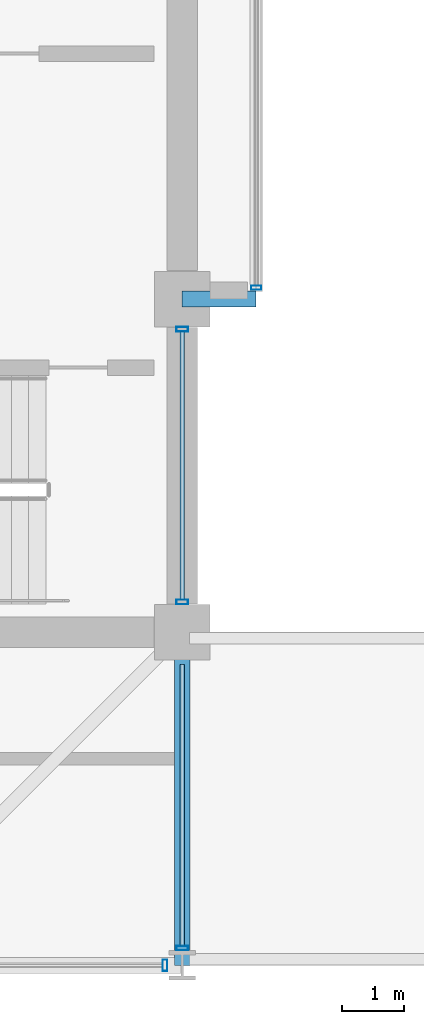
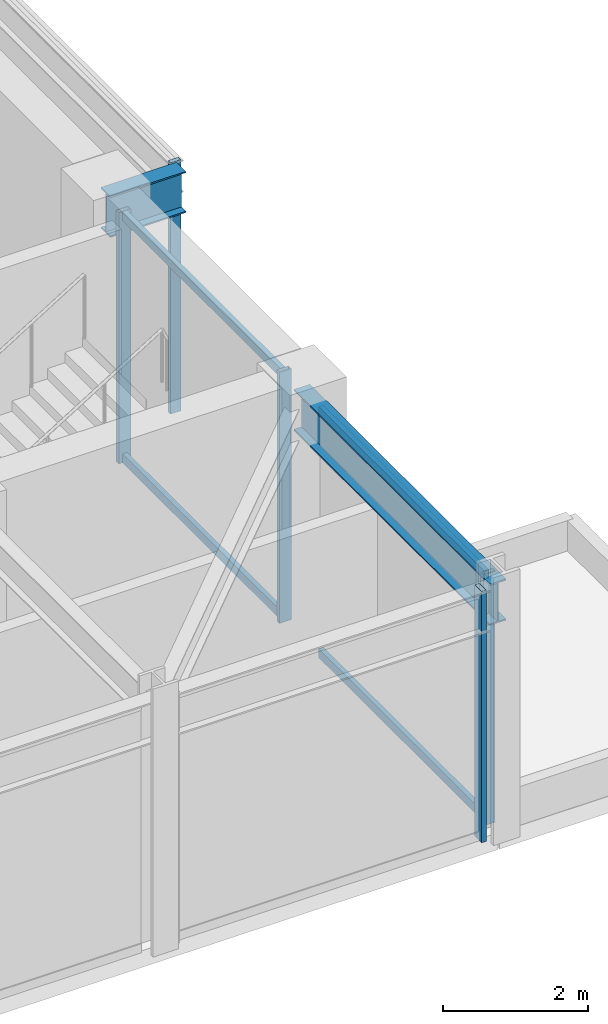
# One storey, part 8 of 21: 9 members, 2 beams, 3 elements without a shape of their own.
"""IFC4 building model written with IfcOpenShell, lengths in metres."""

import ifcopenshell
import ifcopenshell.guid

model = None  # the IFC model being written
_history = None  # IfcOwnerHistory: only IFC2X3 demands one
_inside = {}  # id of a spatial element -> (the spatial element, [elements in it])
_under = {}  # id of a project, library or spatial element -> (it, [spatial elements below it])
_declared = {}  # id of a project -> (the project, [libraries it declares])
_typed = {}  # id of a type object -> (the type object, [elements of that type])
_made_of = {}  # id of a material, layer set ... -> (it, [elements and type objects made of it])


def new_model(schema):
    """Start an empty IFC model of exactly this schema.

    Asked for "IFC4X3", IfcOpenShell would pick the latest addendum, in which some entities
    have other attributes; the version numbers below select the first issue.
    IFC2X3 requires an IfcOwnerHistory on every rooted entity: one is made here for all.
    """
    global model, _history
    if schema == "IFC4X3":
        model = ifcopenshell.file(schema_version=(4, 3, 0, 0))
    else:
        model = ifcopenshell.file(schema=schema)
    _inside.clear()
    _under.clear()
    _declared.clear()
    _typed.clear()
    _made_of.clear()
    _history = None
    if model.schema == "IFC2X3":
        org = make("IfcOrganization", Name="unknown")
        user = make(
            "IfcPersonAndOrganization",
            ThePerson=make("IfcPerson", FamilyName="unknown"),
            TheOrganization=org,
        )
        app = make(
            "IfcApplication",
            ApplicationDeveloper=org,
            Version="unknown",
            ApplicationFullName="unknown",
            ApplicationIdentifier="unknown",
        )
        _history = make(
            "IfcOwnerHistory",
            OwningUser=user,
            OwningApplication=app,
            ChangeAction="ADDED",
            CreationDate=0,
        )
    return model


def make(cls, **values):
    """One entity of the class cls with the attributes given. An attribute that is None is left unset."""
    return model.create_entity(
        cls, **{name: value for name, value in values.items() if value is not None}
    )


def rooted(cls, **values):
    """An entity with a GlobalId (a new one), such as an element, a storey or a relation."""
    return make(cls, GlobalId=ifcopenshell.guid.new(), OwnerHistory=_history, **values)


def si_unit(unit_type, name, prefix=None):
    """IfcSIUnit, for example si_unit("LENGTHUNIT", "METRE", prefix="MILLI")."""
    return make("IfcSIUnit", UnitType=unit_type, Prefix=prefix, Name=name)


def assignment(units):
    """IfcUnitAssignment: the units of a project."""
    return None if units is None else make("IfcUnitAssignment", Units=units)


def point(xyz):
    """IfcCartesianPoint."""
    return None if xyz is None else make("IfcCartesianPoint", Coordinates=xyz)


def direction(xyz):
    """IfcDirection."""
    return None if xyz is None else make("IfcDirection", DirectionRatios=xyz)


def frame(location, z_axis=None, x_axis=None):
    """IfcAxis2Placement3D, a coordinate frame: its origin and axes. An axis left out is left unset."""
    return make(
        "IfcAxis2Placement3D",
        Location=point(location),
        Axis=direction(z_axis),
        RefDirection=direction(x_axis),
    )


def frame_2d(location, x_axis=None):
    """IfcAxis2Placement2D, a coordinate frame in the plane: its origin and x axis."""
    return make(
        "IfcAxis2Placement2D", Location=point(location), RefDirection=direction(x_axis)
    )


def origin():
    """The frame at (0, 0, 0) with its axes left unset."""
    return frame((0.0, 0.0, 0.0))


def origin_2d():
    """The frame at (0, 0) in the plane with its x axis left unset."""
    return frame_2d((0.0, 0.0))


def place(relative_to, where):
    """IfcLocalPlacement: puts the frame where relative to a parent placement (None: the world)."""
    return make(
        "IfcLocalPlacement", PlacementRelTo=relative_to, RelativePlacement=where
    )


def context(
    kind, dimensions, precision=None, world=None, true_north=None, identifier=None
):
    """IfcGeometricRepresentationContext, for example the 3D "Model" context."""
    return make(
        "IfcGeometricRepresentationContext",
        ContextIdentifier=identifier,
        ContextType=kind,
        CoordinateSpaceDimension=dimensions,
        Precision=precision,
        WorldCoordinateSystem=world,
        TrueNorth=true_north,
    )


def subcontext(parent, identifier, kind, view, scale=None):
    """IfcGeometricRepresentationSubContext, for example "Body" below "Model"."""
    return make(
        "IfcGeometricRepresentationSubContext",
        ContextIdentifier=identifier,
        ContextType=kind,
        ParentContext=parent,
        TargetScale=scale,
        TargetView=view,
    )


def project(units=None, contexts=None):
    """IfcProject with its units and contexts."""
    return rooted(
        "IfcProject",
        Name="project",
        RepresentationContexts=contexts,
        UnitsInContext=assignment(units),
    )


def spatial(cls, under=None, at=None, **own):
    """A site, building, storey or space (cls), placed at a placement, below another one or the project."""
    s = rooted(cls, ObjectPlacement=at, **own)
    if under is not None:
        _under.setdefault(under.id(), (under, []))[1].append(s)
    return s


def profile(cls, at=None, kind="AREA", **sizes):
    """A parametric profile (cls). Its sizes go by their IFC names, for example OverallWidth=200.0."""
    return make(cls, ProfileType=kind, Position=at, **sizes)


def hollow_rectangle(**sizes):
    """IfcRectangleHollowProfileDef."""
    return profile("IfcRectangleHollowProfileDef", **sizes)


def i_section(**sizes):
    """IfcIShapeProfileDef."""
    return profile("IfcIShapeProfileDef", **sizes)


def extrude(swept, where, along, depth):
    """IfcExtrudedAreaSolid: the profile swept, set in the frame where, extruded along a direction by depth."""
    return make(
        "IfcExtrudedAreaSolid",
        SweptArea=swept,
        Position=where,
        ExtrudedDirection=direction(along),
        Depth=depth,
    )


def shape(context_of_items, identifier, shape_type, items):
    """IfcShapeRepresentation: the items that make up one representation, for example the "Body"."""
    return make(
        "IfcShapeRepresentation",
        ContextOfItems=context_of_items,
        RepresentationIdentifier=identifier,
        RepresentationType=shape_type,
        Items=items,
    )


def material(Name=None, Category=None):
    """IfcMaterial."""
    return make("IfcMaterial", Name=Name, Category=Category)


def layer(
    of_material, thickness, ventilated=None, Name=None, Category=None, Priority=None
):
    """IfcMaterialLayer: one layer of a wall or slab, of a material (None: an air gap)."""
    return make(
        "IfcMaterialLayer",
        Material=of_material,
        LayerThickness=thickness,
        IsVentilated=ventilated,
        Name=Name,
        Category=Category,
        Priority=Priority,
    )


def layer_set(layers, Name=None):
    """IfcMaterialLayerSet."""
    return make("IfcMaterialLayerSet", MaterialLayers=layers, LayerSetName=Name)


def material_profile(
    of_material, cross_section, Name=None, Category=None, Priority=None
):
    """IfcMaterialProfile: a cross section and its material."""
    return make(
        "IfcMaterialProfile",
        Name=Name,
        Material=of_material,
        Profile=cross_section,
        Priority=Priority,
        Category=Category,
    )


def profile_set(profiles, Name=None, composite=None):
    """IfcMaterialProfileSet."""
    return make(
        "IfcMaterialProfileSet",
        Name=Name,
        MaterialProfiles=profiles,
        CompositeProfile=composite,
    )


def made_of(thing, what):
    """Note that an element or type object is made of a material, layer set ...; save() writes the relation."""
    if what is not None:
        _made_of.setdefault(what.id(), (what, []))[1].append(thing)
    return thing


def type_object(cls, material=None, **own):
    """A type object (cls), such as IfcWallType, which elements share."""
    return made_of(rooted(cls, **own), material)


def element(
    cls,
    number,
    at=None,
    inside=None,
    cuts=None,
    type_object=None,
    material=None,
    context=None,
    identifier="Body",
    shape_type=None,
    held_by="IfcProductDefinitionShape",
    body=None,
    shapes=None,
    **own,
):
    """One element of the class cls, such as IfcWall. Its Tag is "e" and its number.

    at: its placement. inside: the storey or other place that contains it. cuts: it is an
    opening in that element (IfcRelVoidsElement). A single representation is given by context,
    identifier, shape_type and body (its items); several are given by shapes. held_by: the class
    of the entity that holds the representations. save() writes the other relations.
    """
    e = rooted(cls, Tag="e%d" % number, ObjectPlacement=at, **own)
    if body is not None:
        shapes = [shape(context, identifier, shape_type, body)]
    if shapes is not None:
        e.Representation = make(held_by, Representations=shapes)
    if inside is not None:
        _inside.setdefault(inside.id(), (inside, []))[1].append(e)
    if cuts is not None:
        rooted(
            "IfcRelVoidsElement", RelatingBuildingElement=cuts, RelatedOpeningElement=e
        )
    if type_object is not None:
        _typed.setdefault(type_object.id(), (type_object, []))[1].append(e)
    return made_of(e, material)


def aggregate(whole, parts):
    """IfcRelAggregates: a whole, such as a stair, and the parts it consists of."""
    return rooted("IfcRelAggregates", RelatingObject=whole, RelatedObjects=parts)


def save(model, path):
    """Write the relations noted so far, then the file.

    IfcRelAggregates (storeys below a building ...), IfcRelContainedInSpatialStructure (elements
    in a storey), IfcRelDefinesByType, IfcRelAssociatesMaterial and IfcRelDeclares: one each for
    every whole, place, type object, material and project.
    """
    for whole, parts in _under.values():
        aggregate(whole, parts)
    for where, things in _inside.values():
        rooted(
            "IfcRelContainedInSpatialStructure",
            RelatedElements=things,
            RelatingStructure=where,
        )
    for kind, things in _typed.values():
        rooted("IfcRelDefinesByType", RelatedObjects=things, RelatingType=kind)
    for what, things in _made_of.values():
        rooted("IfcRelAssociatesMaterial", RelatedObjects=things, RelatingMaterial=what)
    for by, libraries in _declared.values():
        rooted("IfcRelDeclares", RelatingContext=by, RelatedDefinitions=libraries)
    model.write(path)


model = new_model("IFC4")

# Units and contexts
model_context = context("Model", 3, precision=1e-05, world=origin(), true_north=direction((0.0, 1.0)))
body_context = subcontext(model_context, "Body", "Model", "MODEL_VIEW")
ifc_project = project(units=[si_unit("LENGTHUNIT", "METRE"), si_unit("AREAUNIT", "SQUARE_METRE"), si_unit("VOLUMEUNIT", "CUBIC_METRE"), si_unit("PLANEANGLEUNIT", "RADIAN"), si_unit("MASSUNIT", "GRAM", prefix="KILO")], contexts=[model_context])

# Site, building, storey
site_placement = place(None, origin())
site = spatial("IfcSite", under=ifc_project, at=site_placement, CompositionType="ELEMENT")
building_placement = place(site_placement, origin())
building = spatial("IfcBuilding", under=site, at=building_placement, Name="Surkhivell Harbour Commons", CompositionType="ELEMENT")
storey_placement = place(building_placement, frame((0.0, 0.0, 346.5)))
storey = spatial("IfcBuildingStorey", under=building, at=storey_placement, Name="L90", CompositionType="ELEMENT", Elevation=346.5)

# Beams
ifc_material_1 = material(Name="Steel S460", Category="steel")
ifc_material_profile_1 = material_profile(ifc_material_1, i_section(OverallWidth=0.256103515625, OverallDepth=0.693115234375, WebThickness=0.014404296875, FlangeThickness=0.023681640625, at=origin_2d()), Name="UB686x254x170")
ifc_profile_set_1 = profile_set([ifc_material_profile_1], Name="Steel S460")
beam_type_1 = type_object("IfcBeamType", Name="BM-CNT-686", PredefinedType="BEAM", material=ifc_profile_set_1)
beam_1_placement = place(storey_placement, frame((10.800048828125, -5.39990234375, 3.87353515625), z_axis=(1.0, 0.0, 0.0), x_axis=(0.0, 1.0, 0.0)))
element("IfcBeam", 1, at=beam_1_placement, inside=storey, type_object=beam_type_1, Name="L90 Box Cantilever Outrigger (10.8,-5.4)", PredefinedType="BEAM", context=body_context, shape_type="SweptSolid", body=[
    extrude(i_section(OverallWidth=0.256103515625, OverallDepth=0.693115234375, WebThickness=0.014404296875, FlangeThickness=0.023681640625, at=origin_2d()), origin(), (0.0, 0.0, 1.0), 1.199951171875),
])
ifc_material_2 = material(Name="Steel S355", Category="steel")
ifc_material_profile_2 = material_profile(ifc_material_2, i_section(OverallWidth=0.256103515625, OverallDepth=0.693115234375, WebThickness=0.014404296875, FlangeThickness=0.023681640625, at=origin_2d()), Name="UB686x254x170")
ifc_profile_set_2 = profile_set([ifc_material_profile_2], Name="Steel S355")
beam_type_2 = type_object("IfcBeamType", Name="BM-SPN-686", PredefinedType="SPANDREL", material=ifc_profile_set_2)
beam_2_placement = place(storey_placement, frame((10.800048828125, -16.199951171875, 3.87353515625), z_axis=(0.0, 1.0, 0.0), x_axis=(-1.0, 0.0, 0.0)))
element("IfcBeam", 2, at=beam_2_placement, inside=storey, type_object=beam_type_2, Name="L90 Tube Spandrel (10.8,-16.2)", PredefinedType="SPANDREL", context=body_context, shape_type="SweptSolid", body=[
    extrude(i_section(OverallWidth=0.256103515625, OverallDepth=0.693115234375, WebThickness=0.014404296875, FlangeThickness=0.023681640625, at=origin_2d()), origin(), (0.0, 0.0, 1.0), 5.39990234375),
])

# Curtain wall, member
ifc_material_3 = material(Name="Anodised pale-metal aluminium and insulated glazing", Category="aluminium")
ifc_layer_1 = layer(ifc_material_3, 0.1650390625)
ifc_layer_set_1 = layer_set([ifc_layer_1], Name="Anodised pale-metal aluminium and insulated glazing")
curtain_wall_type_1 = type_object("IfcCurtainWallType", Name="CW-SYS-BOX", PredefinedType="NOTDEFINED", material=ifc_layer_set_1)
curtain_wall_1_placement = place(storey_placement, origin())
curtain_wall_1 = element("IfcCurtainWall", 3, at=curtain_wall_1_placement, inside=storey, type_object=curtain_wall_type_1, Name="L90 Curtain Wall CW-L90-BOX01", PredefinedType="NOTDEFINED")
ifc_material_4 = material(Name="Champagne anodised aluminium alloy 6063-T6", Category="aluminium")
ifc_material_profile_3 = material_profile(ifc_material_4, hollow_rectangle(XDim=0.070068359375, YDim=0.1650390625, WallThickness=0.00341796875, at=origin_2d()), Name="ALU-MULL-70x165")
ifc_profile_set_3 = profile_set([ifc_material_profile_3], Name="Champagne anodised aluminium alloy 6063-T6")
member_type_1 = type_object("IfcMemberType", Name="CWM-165", PredefinedType="MULLION", material=ifc_profile_set_3)
member_1_placement = place(storey_placement, frame((12.0, -5.215087890625, 0.0), z_axis=(0.0, 0.0, 1.0), x_axis=(0.0, 1.0, 0.0)))
member_1 = element("IfcMember", 4, at=member_1_placement, type_object=member_type_1, Name="CW-BOX mullion 1", PredefinedType="MULLION", context=body_context, shape_type="SweptSolid", body=[
    extrude(hollow_rectangle(XDim=0.070068359375, YDim=0.1650390625, WallThickness=0.00341796875, at=origin_2d()), origin(), (0.0, 0.0, 1.0), 4.219970703125),
])
aggregate(curtain_wall_1, [member_1])

ifc_layer_2 = layer(ifc_material_3, 0.22998046875)
ifc_layer_set_2 = layer_set([ifc_layer_2], Name="Anodised pale-metal aluminium and insulated glazing")
curtain_wall_type_2 = type_object("IfcCurtainWallType", Name="CW-SYS-CRN", PredefinedType="NOTDEFINED", material=ifc_layer_set_2)
curtain_wall_2_placement = place(storey_placement, origin())
curtain_wall_2 = element("IfcCurtainWall", 5, at=curtain_wall_2_placement, inside=storey, type_object=curtain_wall_type_2, Name="L90 Curtain Wall CW-L90-C06", PredefinedType="NOTDEFINED")
ifc_material_5 = material(Name="Anodised pale-metal aluminium alloy 6063-T6", Category="aluminium")
ifc_material_profile_4 = material_profile(ifc_material_5, hollow_rectangle(XDim=0.074951171875, YDim=0.18994140625, WallThickness=0.00390625, at=origin_2d()), Name="ALU-MULL-75x190")
ifc_profile_set_4 = profile_set([ifc_material_profile_4], Name="Anodised pale-metal aluminium alloy 6063-T6")
member_type_2 = type_object("IfcMemberType", Name="CWM-190", PredefinedType="MULLION", material=ifc_profile_set_4)
member_2_placement = place(storey_placement, frame((10.5205078125, -16.199951171875, 0.0), z_axis=(0.0, 0.0, 1.0), x_axis=(1.0, 0.0, 0.0)))
member_2 = element("IfcMember", 6, at=member_2_placement, type_object=member_type_2, Name="CW-CRN mullion 6", PredefinedType="MULLION", context=body_context, shape_type="SweptSolid", body=[
    extrude(hollow_rectangle(XDim=0.074951171875, YDim=0.18994140625, WallThickness=0.00390625, at=origin_2d()), origin(), (0.0, 0.0, 1.0), 4.219970703125),
])
aggregate(curtain_wall_2, [member_2])

# Curtain wall, members
curtain_wall_3_placement = place(storey_placement, origin())
curtain_wall_3 = element("IfcCurtainWall", 7, at=curtain_wall_3_placement, inside=storey, type_object=curtain_wall_type_2, Name="L90 Curtain Wall CW-L90-C07S1", PredefinedType="NOTDEFINED")
member_3_placement = place(storey_placement, frame((10.800048828125, -15.92041015625, 0.0), z_axis=(0.0, 0.0, 1.0), x_axis=(0.0, 1.0, 0.0)))
member_3 = element("IfcMember", 8, at=member_3_placement, type_object=member_type_2, Name="CW-CRN mullion 1", PredefinedType="MULLION", context=body_context, shape_type="SweptSolid", body=[
    extrude(hollow_rectangle(XDim=0.074951171875, YDim=0.18994140625, WallThickness=0.00390625, at=origin_2d()), origin(), (0.0, 0.0, 1.0), 4.219970703125),
])
member_4_placement = place(storey_placement, frame((10.800048828125, -10.310546875, 0.0), z_axis=(0.0, 0.0, 1.0), x_axis=(0.0, 1.0, 0.0)))
member_4 = element("IfcMember", 9, at=member_4_placement, type_object=member_type_2, Name="CW-CRN mullion 2", PredefinedType="MULLION", context=body_context, shape_type="SweptSolid", body=[
    extrude(hollow_rectangle(XDim=0.074951171875, YDim=0.18994140625, WallThickness=0.00390625, at=origin_2d()), origin(), (0.0, 0.0, 1.0), 4.219970703125),
])
member_5_placement = place(storey_placement, frame((10.800048828125, -5.889404296875, 0.0), z_axis=(0.0, 0.0, 1.0), x_axis=(0.0, 1.0, 0.0)))
member_5 = element("IfcMember", 10, at=member_5_placement, type_object=member_type_2, Name="CW-CRN mullion 3", PredefinedType="MULLION", context=body_context, shape_type="SweptSolid", body=[
    extrude(hollow_rectangle(XDim=0.074951171875, YDim=0.18994140625, WallThickness=0.00390625, at=origin_2d()), origin(), (0.0, 0.0, 1.0), 4.219970703125),
])
ifc_material_profile_5 = material_profile(ifc_material_5, hollow_rectangle(XDim=0.074951171875, YDim=0.14990234375, WallThickness=0.00341796875, at=origin_2d()), Name="ALU-TRAN-75x150")
ifc_profile_set_5 = profile_set([ifc_material_profile_5], Name="Anodised pale-metal aluminium alloy 6063-T6")
member_type_3 = type_object("IfcMemberType", Name="CWT-150", PredefinedType="USERDEFINED", material=ifc_profile_set_5)
member_6_placement = place(storey_placement, frame((10.800048828125, -15.883056640625, 0.074951171875), z_axis=(0.0, 1.0, 0.0), x_axis=(-1.0, 0.0, 0.0)))
member_6 = element("IfcMember", 11, at=member_6_placement, type_object=member_type_3, Name="CW-CRN transom 1.1", ObjectType="TRANSOM", PredefinedType="USERDEFINED", context=body_context, shape_type="SweptSolid", body=[
    extrude(hollow_rectangle(XDim=0.074951171875, YDim=0.14990234375, WallThickness=0.00341796875, at=origin_2d()), origin(), (0.0, 0.0, 1.0), 4.55615234375),
])
member_7_placement = place(storey_placement, frame((10.800048828125, -15.883056640625, 4.14501953125), z_axis=(0.0, 1.0, 0.0), x_axis=(-1.0, 0.0, 0.0)))
member_7 = element("IfcMember", 12, at=member_7_placement, type_object=member_type_3, Name="CW-CRN transom 1.2", ObjectType="TRANSOM", PredefinedType="USERDEFINED", context=body_context, shape_type="SweptSolid", body=[
    extrude(hollow_rectangle(XDim=0.074951171875, YDim=0.14990234375, WallThickness=0.00341796875, at=origin_2d()), origin(), (0.0, 0.0, 1.0), 4.55615234375),
])
member_8_placement = place(storey_placement, frame((10.800048828125, -10.27294921875, 0.074951171875), z_axis=(0.0, 1.0, 0.0), x_axis=(-1.0, 0.0, 0.0)))
member_8 = element("IfcMember", 13, at=member_8_placement, type_object=member_type_3, Name="CW-CRN transom 2.1", ObjectType="TRANSOM", PredefinedType="USERDEFINED", context=body_context, shape_type="SweptSolid", body=[
    extrude(hollow_rectangle(XDim=0.074951171875, YDim=0.14990234375, WallThickness=0.00341796875, at=origin_2d()), origin(), (0.0, 0.0, 1.0), 4.345947265625),
])
member_9_placement = place(storey_placement, frame((10.800048828125, -10.27294921875, 4.14501953125), z_axis=(0.0, 1.0, 0.0), x_axis=(-1.0, 0.0, 0.0)))
member_9 = element("IfcMember", 14, at=member_9_placement, type_object=member_type_3, Name="CW-CRN transom 2.2", ObjectType="TRANSOM", PredefinedType="USERDEFINED", context=body_context, shape_type="SweptSolid", body=[
    extrude(hollow_rectangle(XDim=0.074951171875, YDim=0.14990234375, WallThickness=0.00341796875, at=origin_2d()), origin(), (0.0, 0.0, 1.0), 4.345947265625),
])
aggregate(curtain_wall_3, [member_3, member_6, member_7, member_4, member_5, member_8, member_9])

save(model, "model.ifc")
